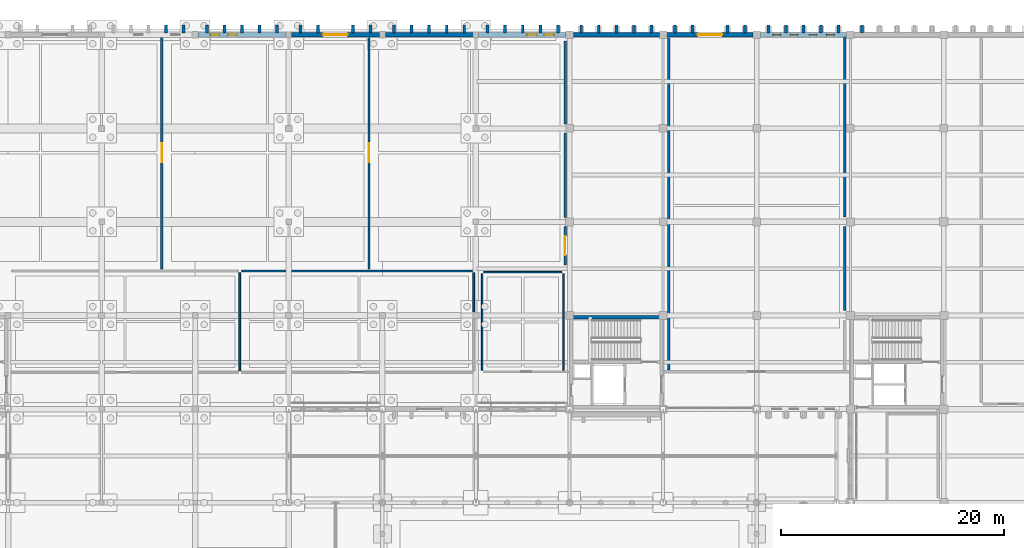
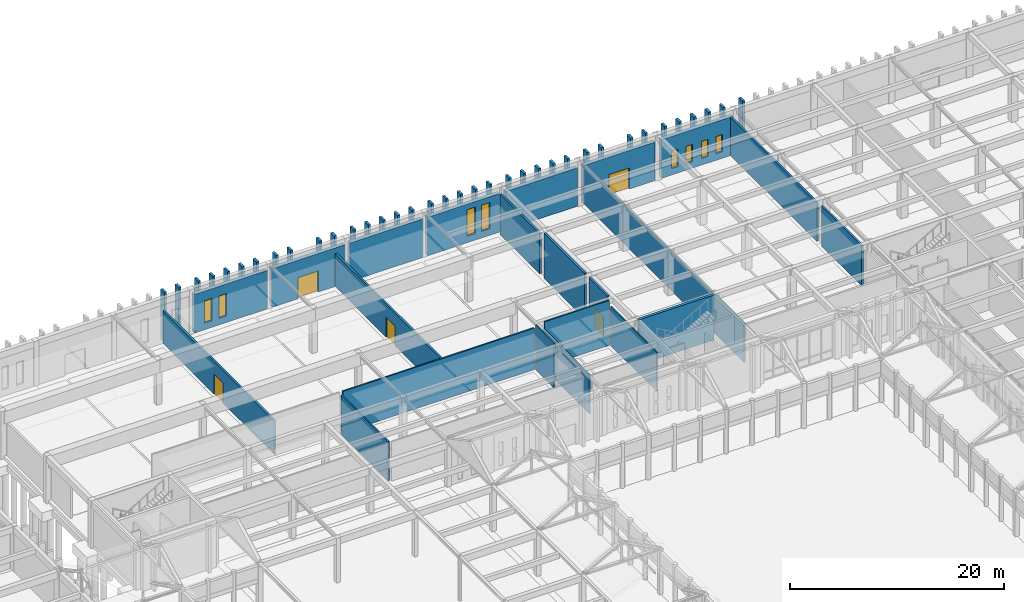
# One storey, part 123 of 143: 58 walls, 8 windows, 5 doors, 13 openings.
"""IFC4 building model written with IfcOpenShell, lengths in metres."""

from ifc_helpers import new_model, si_unit, direction, frame, frame_2d, origin, place, context, subcontext, project, spatial, rectangle, extrude, material, layer, layer_set, type_object, element, fill, save


model = new_model("IFC4")

# Units and contexts
model_context = context("Model", 3, precision=1e-05, world=origin(), true_north=direction((0.0, 1.0)))
body_context = subcontext(model_context, "Body", "Model", "MODEL_VIEW")
ifc_project = project(units=[si_unit("LENGTHUNIT", "METRE"), si_unit("AREAUNIT", "SQUARE_METRE"), si_unit("VOLUMEUNIT", "CUBIC_METRE"), si_unit("PLANEANGLEUNIT", "RADIAN"), si_unit("MASSUNIT", "GRAM", prefix="KILO")], contexts=[model_context])

# Site, building, storey
site_placement = place(None, origin())
site = spatial("IfcSite", under=ifc_project, at=site_placement, CompositionType="ELEMENT")
building_placement = place(site_placement, origin())
building = spatial("IfcBuilding", under=site, at=building_placement, Name="Kveldsbrygga Polytechnic", CompositionType="ELEMENT")
storey_placement = place(building_placement, origin())
storey = spatial("IfcBuildingStorey", under=building, at=storey_placement, Name="L00", CompositionType="ELEMENT", Elevation=0.0)

# Wall, openings, windows
ifc_material_1 = material(Name="Fired clay brick masonry M10", Category="masonry")
ifc_layer_1 = layer(ifc_material_1, 0.419921875)
ifc_layer_set_1 = layer_set([ifc_layer_1], Name="Fired clay brick masonry M10")
wall_type_1 = type_object("IfcWallType", Name="EW-BRICK-420", PredefinedType="SOLIDWALL", material=ifc_layer_set_1)
wall_1_placement = place(storey_placement, frame((67.4599609375, 117.60009765625, 0.0), z_axis=(0.0, 0.0, 1.0), x_axis=(1.0, 0.0, 0.0)))
wall_1 = element("IfcWall", 1, at=wall_1_placement, inside=storey, type_object=wall_type_1, Name="Exterior Brick Wall EW-L00-X-08-14", PredefinedType="SOLIDWALL", context=body_context, shape_type="SweptSolid", body=[
    extrude(rectangle(XDim=7.905029296875, YDim=0.419921875, at=frame_2d((3.95263671875, 0.0))), origin(), (0.0, 0.0, 1.0), 4.39990234375),
])
opening_1_placement = place(wall_1_placement, frame((1.10205078125, 0.0, 0.75)))
opening_1 = element("IfcOpeningElement", 2, at=opening_1_placement, cuts=wall_1, Name="Opening W-10", PredefinedType="OPENING", context=body_context, shape_type="SweptSolid", body=[
    extrude(rectangle(XDim=0.800048828125, YDim=2.550048828125, at=frame_2d((0.39990234375, 1.27490234375))), frame((0.0, 0.219970703125, 0.0), z_axis=(0.0, -1.0, 0.0), x_axis=(1.0, 0.0, 0.0)), (0.0, 0.0, 1.0), 0.43994140625),
])
opening_2_placement = place(wall_1_placement, frame((2.682861328125, 0.0, 0.75)))
opening_2 = element("IfcOpeningElement", 3, at=opening_2_placement, cuts=wall_1, Name="Opening W-10", PredefinedType="OPENING", context=body_context, shape_type="SweptSolid", body=[
    extrude(rectangle(XDim=0.800048828125, YDim=2.550048828125, at=frame_2d((0.39990234375, 1.27490234375))), frame((0.0, 0.219970703125, 0.0), z_axis=(0.0, -1.0, 0.0), x_axis=(1.0, 0.0, 0.0)), (0.0, 0.0, 1.0), 0.43994140625),
])
ifc_material_2 = material(Name="Insulated triple low-E glass", Category="glass")
window_type_1 = type_object("IfcWindowType", Name="WN-LANC-080x255", PartitioningType="DOUBLE_PANEL_VERTICAL", PredefinedType="WINDOW", material=ifc_material_2)
window_1_placement = place(opening_1_placement, origin())
window_1 = element("IfcWindow", 4, at=window_1_placement, inside=storey, type_object=window_type_1, Name="Gothic Lancet Window WIN-L00-X-08-14-1", OverallHeight=2.550048828125, OverallWidth=0.800048828125, PartitioningType="DOUBLE_PANEL_VERTICAL", PredefinedType="WINDOW", context=body_context, shape_type="SweptSolid", body=[
    extrude(rectangle(XDim=0.800048828125, YDim=2.550048828125, at=frame_2d((0.39990234375, 1.27490234375))), frame((0.0, 0.030029296875, 0.0), z_axis=(0.0, -1.0, 0.0), x_axis=(1.0, 0.0, 0.0)), (0.0, 0.0, 1.0), 0.06005859375),
])
fill(opening_1, window_1)
window_2_placement = place(opening_2_placement, origin())
window_2 = element("IfcWindow", 5, at=window_2_placement, inside=storey, type_object=window_type_1, Name="Gothic Lancet Window WIN-L00-X-08-14-2", OverallHeight=2.550048828125, OverallWidth=0.800048828125, PartitioningType="DOUBLE_PANEL_VERTICAL", PredefinedType="WINDOW", context=body_context, shape_type="SweptSolid", body=[
    extrude(rectangle(XDim=0.800048828125, YDim=2.550048828125, at=frame_2d((0.39990234375, 1.27490234375))), frame((0.0, 0.030029296875, 0.0), z_axis=(0.0, -1.0, 0.0), x_axis=(1.0, 0.0, 0.0)), (0.0, 0.0, 1.0), 0.06005859375),
])
fill(opening_2, window_2)

# Wall, opening, door
wall_2_placement = place(storey_placement, frame((75.8349609375, 117.60009765625, 0.0), z_axis=(0.0, 0.0, 1.0), x_axis=(1.0, 0.0, 0.0)))
wall_2 = element("IfcWall", 6, at=wall_2_placement, inside=storey, type_object=wall_type_1, Name="Exterior Brick Wall EW-L00-X-09-14", PredefinedType="SOLIDWALL", context=body_context, shape_type="SweptSolid", body=[
    extrude(rectangle(XDim=7.905029296875, YDim=0.419921875, at=frame_2d((3.95263671875, 0.0))), origin(), (0.0, 0.0, 1.0), 4.39990234375),
])
opening_3_placement = place(wall_2_placement, frame((2.8525390625, 0.0, 0.0)))
opening_3 = element("IfcOpeningElement", 7, at=opening_3_placement, cuts=wall_2, Name="Opening ED-07", PredefinedType="OPENING", context=body_context, shape_type="SweptSolid", body=[
    extrude(rectangle(XDim=2.199951171875, YDim=2.39990234375, at=frame_2d((1.10009765625, 1.199951171875))), frame((0.0, 0.219970703125, 0.0), z_axis=(0.0, -1.0, 0.0), x_axis=(1.0, 0.0, 0.0)), (0.0, 0.0, 1.0), 0.43994140625),
])
ifc_material_3 = material(Name="Anodised aluminium AW-6060", Category="aluminium")
door_type_1 = type_object("IfcDoorType", Name="ED-MAIN-220x240", OperationType="DOUBLE_DOOR_SINGLE_SWING", PredefinedType="DOOR", material=ifc_material_3)
door_1_placement = place(opening_3_placement, origin())
door_1 = element("IfcDoor", 8, at=door_1_placement, inside=storey, type_object=door_type_1, Name="Pedestrian Exit Door ED-07", OperationType="DOUBLE_DOOR_SINGLE_SWING", OverallHeight=2.39990234375, OverallWidth=2.199951171875, PredefinedType="DOOR", context=body_context, shape_type="SweptSolid", body=[
    extrude(rectangle(XDim=2.199951171875, YDim=2.39990234375, at=frame_2d((1.10009765625, 1.199951171875))), frame((0.0, 0.02490234375, 0.0), z_axis=(0.0, -1.0, 0.0), x_axis=(1.0, 0.0, 0.0)), (0.0, 0.0, 1.0), 0.050048828125),
])
fill(opening_3, door_1)

# Wall
wall_3_placement = place(storey_placement, frame((84.260009765625, 117.60009765625, 0.0), z_axis=(0.0, 0.0, 1.0), x_axis=(1.0, 0.0, 0.0)))
element("IfcWall", 9, at=wall_3_placement, inside=storey, type_object=wall_type_1, Name="Exterior Brick Wall EW-L00-X-10-14", PredefinedType="SOLIDWALL", context=body_context, shape_type="SweptSolid", body=[
    extrude(rectangle(XDim=7.905029296875, YDim=0.419921875, at=frame_2d((3.95263671875, 0.0))), origin(), (0.0, 0.0, 1.0), 4.39990234375),
])

# Wall, openings, windows
wall_4_placement = place(storey_placement, frame((92.635009765625, 117.60009765625, 0.0), z_axis=(0.0, 0.0, 1.0), x_axis=(1.0, 0.0, 0.0)))
wall_4 = element("IfcWall", 10, at=wall_4_placement, inside=storey, type_object=wall_type_1, Name="Exterior Brick Wall EW-L00-X-11-14", PredefinedType="SOLIDWALL", context=body_context, shape_type="SweptSolid", body=[
    extrude(rectangle(XDim=7.830078125, YDim=0.419921875, at=frame_2d((3.9150390625, 0.0))), origin(), (0.0, 0.0, 1.0), 4.39990234375),
])
opening_4_placement = place(wall_4_placement, frame((4.326416015625, 0.0, 0.75)))
opening_4 = element("IfcOpeningElement", 11, at=opening_4_placement, cuts=wall_4, Name="Opening W-19", PredefinedType="OPENING", context=body_context, shape_type="SweptSolid", body=[
    extrude(rectangle(XDim=0.89990234375, YDim=3.0, at=frame_2d((0.449951171875, 1.5))), frame((0.0, 0.219970703125, 0.0), z_axis=(0.0, -1.0, 0.0), x_axis=(1.0, 0.0, 0.0)), (0.0, 0.0, 1.0), 0.43994140625),
])
opening_5_placement = place(wall_4_placement, frame((5.892333984375, 0.0, 0.75)))
opening_5 = element("IfcOpeningElement", 12, at=opening_5_placement, cuts=wall_4, Name="Opening W-19", PredefinedType="OPENING", context=body_context, shape_type="SweptSolid", body=[
    extrude(rectangle(XDim=0.89990234375, YDim=3.0, at=frame_2d((0.449951171875, 1.5))), frame((0.0, 0.219970703125, 0.0), z_axis=(0.0, -1.0, 0.0), x_axis=(1.0, 0.0, 0.0)), (0.0, 0.0, 1.0), 0.43994140625),
])
window_type_2 = type_object("IfcWindowType", Name="WN-LANC-090x300", PartitioningType="DOUBLE_PANEL_VERTICAL", PredefinedType="WINDOW", material=ifc_material_2)
window_3_placement = place(opening_4_placement, origin())
window_3 = element("IfcWindow", 13, at=window_3_placement, inside=storey, type_object=window_type_2, Name="Gothic Lancet Window WIN-L00-X-11-14-3", OverallHeight=3.0, OverallWidth=0.89990234375, PartitioningType="DOUBLE_PANEL_VERTICAL", PredefinedType="WINDOW", context=body_context, shape_type="SweptSolid", body=[
    extrude(rectangle(XDim=0.89990234375, YDim=3.0, at=frame_2d((0.449951171875, 1.5))), frame((0.0, 0.030029296875, 0.0), z_axis=(0.0, -1.0, 0.0), x_axis=(1.0, 0.0, 0.0)), (0.0, 0.0, 1.0), 0.06005859375),
])
fill(opening_4, window_3)
window_4_placement = place(opening_5_placement, origin())
window_4 = element("IfcWindow", 14, at=window_4_placement, inside=storey, type_object=window_type_2, Name="Gothic Lancet Window WIN-L00-X-11-14-4", OverallHeight=3.0, OverallWidth=0.89990234375, PartitioningType="DOUBLE_PANEL_VERTICAL", PredefinedType="WINDOW", context=body_context, shape_type="SweptSolid", body=[
    extrude(rectangle(XDim=0.89990234375, YDim=3.0, at=frame_2d((0.449951171875, 1.5))), frame((0.0, 0.030029296875, 0.0), z_axis=(0.0, -1.0, 0.0), x_axis=(1.0, 0.0, 0.0)), (0.0, 0.0, 1.0), 0.06005859375),
])
fill(opening_5, window_4)

# Wall
wall_5_placement = place(storey_placement, frame((101.135009765625, 117.60009765625, 0.0), z_axis=(0.0, 0.0, 1.0), x_axis=(1.0, 0.0, 0.0)))
element("IfcWall", 15, at=wall_5_placement, inside=storey, type_object=wall_type_1, Name="Exterior Brick Wall EW-L00-X-12-14", PredefinedType="SOLIDWALL", context=body_context, shape_type="SweptSolid", body=[
    extrude(rectangle(XDim=7.739990234375, YDim=0.419921875, at=frame_2d((3.8701171875, 0.0))), origin(), (0.0, 0.0, 1.0), 4.39990234375),
])

# Wall, opening, door
wall_6_placement = place(storey_placement, frame((109.52490234375, 117.60009765625, 0.0), z_axis=(0.0, 0.0, 1.0), x_axis=(1.0, 0.0, 0.0)))
wall_6 = element("IfcWall", 16, at=wall_6_placement, inside=storey, type_object=wall_type_1, Name="Exterior Brick Wall EW-L00-X-13-14", PredefinedType="SOLIDWALL", context=body_context, shape_type="SweptSolid", body=[
    extrude(rectangle(XDim=7.739990234375, YDim=0.419921875, at=frame_2d((3.8701171875, 0.0))), origin(), (0.0, 0.0, 1.0), 4.39990234375),
])
opening_6_placement = place(wall_6_placement, frame((2.77001953125, 0.0, 0.0)))
opening_6 = element("IfcOpeningElement", 17, at=opening_6_placement, cuts=wall_6, Name="Opening ED-13", PredefinedType="OPENING", context=body_context, shape_type="SweptSolid", body=[
    extrude(rectangle(XDim=2.199951171875, YDim=2.39990234375, at=frame_2d((1.10009765625, 1.199951171875))), frame((0.0, 0.219970703125, 0.0), z_axis=(0.0, -1.0, 0.0), x_axis=(1.0, 0.0, 0.0)), (0.0, 0.0, 1.0), 0.43994140625),
])
door_2_placement = place(opening_6_placement, origin())
door_2 = element("IfcDoor", 18, at=door_2_placement, inside=storey, type_object=door_type_1, Name="Pedestrian Exit Door ED-13", OperationType="DOUBLE_DOOR_SINGLE_SWING", OverallHeight=2.39990234375, OverallWidth=2.199951171875, PredefinedType="DOOR", context=body_context, shape_type="SweptSolid", body=[
    extrude(rectangle(XDim=2.199951171875, YDim=2.39990234375, at=frame_2d((1.10009765625, 1.199951171875))), frame((0.0, 0.02490234375, 0.0), z_axis=(0.0, -1.0, 0.0), x_axis=(1.0, 0.0, 0.0)), (0.0, 0.0, 1.0), 0.050048828125),
])
fill(opening_6, door_2)

# Wall, openings, windows
wall_7_placement = place(storey_placement, frame((117.93505859375, 117.60009765625, 0.0), z_axis=(0.0, 0.0, 1.0), x_axis=(1.0, 0.0, 0.0)))
wall_7 = element("IfcWall", 19, at=wall_7_placement, inside=storey, type_object=wall_type_1, Name="Exterior Brick Wall EW-L00-X-14-14", PredefinedType="SOLIDWALL", context=body_context, shape_type="SweptSolid", body=[
    extrude(rectangle(XDim=7.739990234375, YDim=0.419921875, at=frame_2d((3.8701171875, 0.0))), origin(), (0.0, 0.0, 1.0), 4.39990234375),
])
opening_7_placement = place(wall_7_placement, frame((1.12060546875, 0.0, 0.75)))
opening_7 = element("IfcOpeningElement", 20, at=opening_7_placement, cuts=wall_7, Name="Opening W-28", PredefinedType="OPENING", context=body_context, shape_type="SweptSolid", body=[
    extrude(rectangle(XDim=0.699951171875, YDim=1.949951171875, at=frame_2d((0.35009765625, 0.97509765625))), frame((0.0, 0.219970703125, 0.0), z_axis=(0.0, -1.0, 0.0), x_axis=(1.0, 0.0, 0.0)), (0.0, 0.0, 1.0), 0.43994140625),
])
opening_8_placement = place(wall_7_placement, frame((2.668701171875, 0.0, 0.75)))
opening_8 = element("IfcOpeningElement", 21, at=opening_8_placement, cuts=wall_7, Name="Opening W-28", PredefinedType="OPENING", context=body_context, shape_type="SweptSolid", body=[
    extrude(rectangle(XDim=0.699951171875, YDim=1.949951171875, at=frame_2d((0.35009765625, 0.97509765625))), frame((0.0, 0.219970703125, 0.0), z_axis=(0.0, -1.0, 0.0), x_axis=(1.0, 0.0, 0.0)), (0.0, 0.0, 1.0), 0.43994140625),
])
opening_9_placement = place(wall_7_placement, frame((4.371337890625, 0.0, 0.75)))
opening_9 = element("IfcOpeningElement", 22, at=opening_9_placement, cuts=wall_7, Name="Opening W-28", PredefinedType="OPENING", context=body_context, shape_type="SweptSolid", body=[
    extrude(rectangle(XDim=0.699951171875, YDim=1.949951171875, at=frame_2d((0.35009765625, 0.97509765625))), frame((0.0, 0.219970703125, 0.0), z_axis=(0.0, -1.0, 0.0), x_axis=(1.0, 0.0, 0.0)), (0.0, 0.0, 1.0), 0.43994140625),
])
opening_10_placement = place(wall_7_placement, frame((5.91943359375, 0.0, 0.75)))
opening_10 = element("IfcOpeningElement", 23, at=opening_10_placement, cuts=wall_7, Name="Opening W-28", PredefinedType="OPENING", context=body_context, shape_type="SweptSolid", body=[
    extrude(rectangle(XDim=0.699951171875, YDim=1.949951171875, at=frame_2d((0.35009765625, 0.97509765625))), frame((0.0, 0.219970703125, 0.0), z_axis=(0.0, -1.0, 0.0), x_axis=(1.0, 0.0, 0.0)), (0.0, 0.0, 1.0), 0.43994140625),
])
window_type_3 = type_object("IfcWindowType", Name="WN-ATTIC-070x195", PartitioningType="DOUBLE_PANEL_VERTICAL", PredefinedType="WINDOW", material=ifc_material_2)
window_5_placement = place(opening_7_placement, origin())
window_5 = element("IfcWindow", 24, at=window_5_placement, inside=storey, type_object=window_type_3, Name="Gothic Lancet Window WIN-L00-X-14-14-1", OverallHeight=1.949951171875, OverallWidth=0.699951171875, PartitioningType="DOUBLE_PANEL_VERTICAL", PredefinedType="WINDOW", context=body_context, shape_type="SweptSolid", body=[
    extrude(rectangle(XDim=0.699951171875, YDim=1.949951171875, at=frame_2d((0.35009765625, 0.97509765625))), frame((0.0, 0.030029296875, 0.0), z_axis=(0.0, -1.0, 0.0), x_axis=(1.0, 0.0, 0.0)), (0.0, 0.0, 1.0), 0.06005859375),
])
fill(opening_7, window_5)
window_6_placement = place(opening_8_placement, origin())
window_6 = element("IfcWindow", 25, at=window_6_placement, inside=storey, type_object=window_type_3, Name="Gothic Lancet Window WIN-L00-X-14-14-2", OverallHeight=1.949951171875, OverallWidth=0.699951171875, PartitioningType="DOUBLE_PANEL_VERTICAL", PredefinedType="WINDOW", context=body_context, shape_type="SweptSolid", body=[
    extrude(rectangle(XDim=0.699951171875, YDim=1.949951171875, at=frame_2d((0.35009765625, 0.97509765625))), frame((0.0, 0.030029296875, 0.0), z_axis=(0.0, -1.0, 0.0), x_axis=(1.0, 0.0, 0.0)), (0.0, 0.0, 1.0), 0.06005859375),
])
fill(opening_8, window_6)
window_7_placement = place(opening_9_placement, origin())
window_7 = element("IfcWindow", 26, at=window_7_placement, inside=storey, type_object=window_type_3, Name="Gothic Lancet Window WIN-L00-X-14-14-3", OverallHeight=1.949951171875, OverallWidth=0.699951171875, PartitioningType="DOUBLE_PANEL_VERTICAL", PredefinedType="WINDOW", context=body_context, shape_type="SweptSolid", body=[
    extrude(rectangle(XDim=0.699951171875, YDim=1.949951171875, at=frame_2d((0.35009765625, 0.97509765625))), frame((0.0, 0.030029296875, 0.0), z_axis=(0.0, -1.0, 0.0), x_axis=(1.0, 0.0, 0.0)), (0.0, 0.0, 1.0), 0.06005859375),
])
fill(opening_9, window_7)
window_8_placement = place(opening_10_placement, origin())
window_8 = element("IfcWindow", 27, at=window_8_placement, inside=storey, type_object=window_type_3, Name="Gothic Lancet Window WIN-L00-X-14-14-4", OverallHeight=1.949951171875, OverallWidth=0.699951171875, PartitioningType="DOUBLE_PANEL_VERTICAL", PredefinedType="WINDOW", context=body_context, shape_type="SweptSolid", body=[
    extrude(rectangle(XDim=0.699951171875, YDim=1.949951171875, at=frame_2d((0.35009765625, 0.97509765625))), frame((0.0, 0.030029296875, 0.0), z_axis=(0.0, -1.0, 0.0), x_axis=(1.0, 0.0, 0.0)), (0.0, 0.0, 1.0), 0.06005859375),
])
fill(opening_10, window_8)

# Walls
ifc_layer_2 = layer(ifc_material_1, 0.260009765625)
ifc_layer_set_2 = layer_set([ifc_layer_2], Name="Fired clay brick masonry M10")
wall_type_2 = type_object("IfcWallType", Name="EW-BUTT-260", PredefinedType="SOLIDWALL", material=ifc_layer_set_2)
for number, where, z_axis, x_axis, name in (
    (28, (64.580078125, 117.764892578125, -0.320068359375), (0.0, 0.0, 1.0), (0.0, 1.0, 0.0), "Gothic Brick Buttress Pier BUTT-L00-X-07-14-4"),
    (29, (66.14990234375, 117.764892578125, -0.320068359375), (0.0, 0.0, 1.0), (0.0, 1.0, 0.0), "Gothic Brick Buttress Pier BUTT-L00-X-07-14-5"),
    (30, (68.25, 117.764892578125, -0.320068359375), (0.0, 0.0, 1.0), (0.0, 1.0, 0.0), "Gothic Brick Buttress Pier BUTT-L00-X-08-14-1"),
    (31, (69.820068359375, 117.764892578125, -0.320068359375), (0.0, 0.0, 1.0), (0.0, 1.0, 0.0), "Gothic Brick Buttress Pier BUTT-L00-X-08-14-2"),
    (32, (71.39990234375, 117.764892578125, -0.320068359375), (0.0, 0.0, 1.0), (0.0, 1.0, 0.0), "Gothic Brick Buttress Pier BUTT-L00-X-08-14-3"),
    (33, (72.97998046875, 117.764892578125, -0.320068359375), (0.0, 0.0, 1.0), (0.0, 1.0, 0.0), "Gothic Brick Buttress Pier BUTT-L00-X-08-14-4"),
    (34, (74.550048828125, 117.764892578125, -0.320068359375), (0.0, 0.0, 1.0), (0.0, 1.0, 0.0), "Gothic Brick Buttress Pier BUTT-L00-X-08-14-5"),
    (35, (76.64990234375, 117.764892578125, -0.320068359375), (0.0, 0.0, 1.0), (0.0, 1.0, 0.0), "Gothic Brick Buttress Pier BUTT-L00-X-09-14-1"),
    (36, (78.219970703125, 117.764892578125, -0.320068359375), (0.0, 0.0, 1.0), (0.0, 1.0, 0.0), "Gothic Brick Buttress Pier BUTT-L00-X-09-14-2"),
    (37, (81.3798828125, 117.764892578125, -0.320068359375), (0.0, 0.0, 1.0), (0.0, 1.0, 0.0), "Gothic Brick Buttress Pier BUTT-L00-X-09-14-4"),
    (38, (82.949951171875, 117.764892578125, -0.320068359375), (0.0, 0.0, 1.0), (0.0, 1.0, 0.0), "Gothic Brick Buttress Pier BUTT-L00-X-09-14-5"),
    (39, (85.050048828125, 117.764892578125, -0.320068359375), (0.0, 0.0, 1.0), (0.0, 1.0, 0.0), "Gothic Brick Buttress Pier BUTT-L00-X-10-14-1"),
    (40, (86.6201171875, 117.764892578125, -0.320068359375), (0.0, 0.0, 1.0), (0.0, 1.0, 0.0), "Gothic Brick Buttress Pier BUTT-L00-X-10-14-2"),
    (41, (88.199951171875, 117.764892578125, -0.320068359375), (0.0, 0.0, 1.0), (0.0, 1.0, 0.0), "Gothic Brick Buttress Pier BUTT-L00-X-10-14-3"),
    (42, (89.780029296875, 117.764892578125, -0.320068359375), (0.0, 0.0, 1.0), (0.0, 1.0, 0.0), "Gothic Brick Buttress Pier BUTT-L00-X-10-14-4"),
    (43, (91.35009765625, 117.764892578125, -0.320068359375), (0.0, 0.0, 1.0), (0.0, 1.0, 0.0), "Gothic Brick Buttress Pier BUTT-L00-X-10-14-5"),
    (44, (93.449951171875, 117.764892578125, -0.320068359375), (0.0, 0.0, 1.0), (0.0, 1.0, 0.0), "Gothic Brick Buttress Pier BUTT-L00-X-11-14-1"),
    (45, (95.02001953125, 117.764892578125, -0.320068359375), (0.0, 0.0, 1.0), (0.0, 1.0, 0.0), "Gothic Brick Buttress Pier BUTT-L00-X-11-14-2"),
    (46, (96.60009765625, 117.764892578125, -0.320068359375), (0.0, 0.0, 1.0), (0.0, 1.0, 0.0), "Gothic Brick Buttress Pier BUTT-L00-X-11-14-3"),
    (47, (98.179931640625, 117.764892578125, -0.320068359375), (0.0, 0.0, 1.0), (0.0, 1.0, 0.0), "Gothic Brick Buttress Pier BUTT-L00-X-11-14-4"),
):
    element("IfcWall", number, at=place(storey_placement, frame(where, z_axis=z_axis, x_axis=x_axis)), inside=storey, type_object=wall_type_2, Name=name, PredefinedType="SOLIDWALL", context=body_context, shape_type="SweptSolid", body=[
        extrude(rectangle(XDim=0.7001953125, YDim=0.260009765625, at=frame_2d((0.35009765625, 0.0))), origin(), (0.0, 0.0, 1.0), 5.760009765625),
    ])
for number, where, z_axis, x_axis, name in (
    (48, (99.75, 117.764892578125, -0.25), (0.0, 0.0, 1.0), (0.0, 1.0, 0.0), "Gothic Brick Buttress Pier BUTT-L00-X-11-14-5"),
    (49, (101.85009765625, 117.764892578125, -0.25), (0.0, 0.0, 1.0), (0.0, 1.0, 0.0), "Gothic Brick Buttress Pier BUTT-L00-X-12-14-1"),
    (50, (103.419921875, 117.764892578125, -0.25), (0.0, 0.0, 1.0), (0.0, 1.0, 0.0), "Gothic Brick Buttress Pier BUTT-L00-X-12-14-2"),
    (51, (105.0, 117.764892578125, -0.25), (0.0, 0.0, 1.0), (0.0, 1.0, 0.0), "Gothic Brick Buttress Pier BUTT-L00-X-12-14-3"),
    (52, (106.580078125, 117.764892578125, -0.25), (0.0, 0.0, 1.0), (0.0, 1.0, 0.0), "Gothic Brick Buttress Pier BUTT-L00-X-12-14-4"),
    (53, (108.14990234375, 117.764892578125, -0.25), (0.0, 0.0, 1.0), (0.0, 1.0, 0.0), "Gothic Brick Buttress Pier BUTT-L00-X-12-14-5"),
    (54, (110.25, 117.764892578125, -0.25), (0.0, 0.0, 1.0), (0.0, 1.0, 0.0), "Gothic Brick Buttress Pier BUTT-L00-X-13-14-1"),
    (55, (111.820068359375, 117.764892578125, -0.25), (0.0, 0.0, 1.0), (0.0, 1.0, 0.0), "Gothic Brick Buttress Pier BUTT-L00-X-13-14-2"),
    (56, (114.97998046875, 117.764892578125, -0.25), (0.0, 0.0, 1.0), (0.0, 1.0, 0.0), "Gothic Brick Buttress Pier BUTT-L00-X-13-14-4"),
    (57, (116.550048828125, 117.764892578125, -0.25), (0.0, 0.0, 1.0), (0.0, 1.0, 0.0), "Gothic Brick Buttress Pier BUTT-L00-X-13-14-5"),
    (58, (118.64990234375, 117.764892578125, -0.25), (0.0, 0.0, 1.0), (0.0, 1.0, 0.0), "Gothic Brick Buttress Pier BUTT-L00-X-14-14-1"),
    (59, (120.219970703125, 117.764892578125, -0.25), (0.0, 0.0, 1.0), (0.0, 1.0, 0.0), "Gothic Brick Buttress Pier BUTT-L00-X-14-14-2"),
    (60, (121.800048828125, 117.764892578125, -0.25), (0.0, 0.0, 1.0), (0.0, 1.0, 0.0), "Gothic Brick Buttress Pier BUTT-L00-X-14-14-3"),
    (61, (123.3798828125, 117.764892578125, -0.25), (0.0, 0.0, 1.0), (0.0, 1.0, 0.0), "Gothic Brick Buttress Pier BUTT-L00-X-14-14-4"),
    (62, (124.949951171875, 117.764892578125, -0.25), (0.0, 0.0, 1.0), (0.0, 1.0, 0.0), "Gothic Brick Buttress Pier BUTT-L00-X-14-14-5"),
    (63, (127.050048828125, 117.764892578125, -0.25), (0.0, 0.0, 1.0), (0.0, 1.0, 0.0), "Gothic Brick Buttress Pier BUTT-L00-X-15-14-1"),
):
    element("IfcWall", number, at=place(storey_placement, frame(where, z_axis=z_axis, x_axis=x_axis)), inside=storey, type_object=wall_type_2, Name=name, PredefinedType="SOLIDWALL", context=body_context, shape_type="SweptSolid", body=[
        extrude(rectangle(XDim=0.7001953125, YDim=0.260009765625, at=frame_2d((0.35009765625, 0.0))), origin(), (0.0, 0.0, 1.0), 5.68994140625),
    ])

# Wall, opening, door
ifc_layer_3 = layer(ifc_material_1, 0.219970703125)
ifc_layer_set_3 = layer_set([ifc_layer_3], Name="Fired clay brick masonry M10")
wall_type_3 = type_object("IfcWallType", Name="IW-ACOU-220", PredefinedType="PARTITIONING", material=ifc_layer_set_3)
wall_8_placement = place(storey_placement, frame((64.199951171875, 96.580078125, 0.0), z_axis=(0.0, 0.0, 1.0), x_axis=(0.0, 1.0, 0.0)))
wall_8 = element("IfcWall", 64, at=wall_8_placement, inside=storey, type_object=wall_type_3, Name="Partition Wall IW-SP-L00-LT1-E1", PredefinedType="PARTITIONING", context=body_context, shape_type="SweptSolid", body=[
    extrude(rectangle(XDim=20.83984375, YDim=0.219970703125, at=frame_2d((10.419921875, 0.0))), origin(), (0.0, 0.0, 1.0), 3.739990234375),
])
opening_11_placement = place(wall_8_placement, frame((9.570068359375, 0.0, 0.0)))
opening_11 = element("IfcOpeningElement", 65, at=opening_11_placement, cuts=wall_8, Name="Opening ID-L00-028", PredefinedType="OPENING", context=body_context, shape_type="SweptSolid", body=[
    extrude(rectangle(XDim=1.699951171875, YDim=2.25, at=frame_2d((0.85009765625, 1.125))), frame((0.0, 0.1201171875, 0.0), z_axis=(0.0, -1.0, 0.0), x_axis=(1.0, 0.0, 0.0)), (0.0, 0.0, 1.0), 0.239990234375),
])
ifc_material_4 = material(Name="Acoustic oak timber", Category="wood")
door_type_2 = type_object("IfcDoorType", Name="ID-LTH-170x225", OperationType="DOUBLE_DOOR_SINGLE_SWING", PredefinedType="DOOR", material=ifc_material_4)
door_3_placement = place(opening_11_placement, origin())
door_3 = element("IfcDoor", 66, at=door_3_placement, inside=storey, type_object=door_type_2, Name="Interior Door ID-L00-028", OperationType="DOUBLE_DOOR_SINGLE_SWING", OverallHeight=2.25, OverallWidth=1.699951171875, PredefinedType="DOOR", context=body_context, shape_type="SweptSolid", body=[
    extrude(rectangle(XDim=1.699951171875, YDim=2.25, at=frame_2d((0.85009765625, 1.125))), frame((0.0, 0.02490234375, 0.0), z_axis=(0.0, -1.0, 0.0), x_axis=(1.0, 0.0, 0.0)), (0.0, 0.0, 1.0), 0.050048828125),
])
fill(opening_11, door_3)

wall_9_placement = place(storey_placement, frame((82.800048828125, 96.580078125, 0.0), z_axis=(0.0, 0.0, 1.0), x_axis=(0.0, 1.0, 0.0)))
wall_9 = element("IfcWall", 67, at=wall_9_placement, inside=storey, type_object=wall_type_3, Name="Partition Wall IW-SP-L00-LT2-E1", PredefinedType="PARTITIONING", context=body_context, shape_type="SweptSolid", body=[
    extrude(rectangle(XDim=20.83984375, YDim=0.219970703125, at=frame_2d((10.419921875, 0.0))), origin(), (0.0, 0.0, 1.0), 3.739990234375),
])
opening_12_placement = place(wall_9_placement, frame((9.570068359375, 0.0, 0.0)))
opening_12 = element("IfcOpeningElement", 68, at=opening_12_placement, cuts=wall_9, Name="Opening ID-L00-029", PredefinedType="OPENING", context=body_context, shape_type="SweptSolid", body=[
    extrude(rectangle(XDim=1.699951171875, YDim=2.25, at=frame_2d((0.85009765625, 1.125))), frame((0.0, 0.1201171875, 0.0), z_axis=(0.0, -1.0, 0.0), x_axis=(1.0, 0.0, 0.0)), (0.0, 0.0, 1.0), 0.239990234375),
])
door_4_placement = place(opening_12_placement, origin())
door_4 = element("IfcDoor", 69, at=door_4_placement, inside=storey, type_object=door_type_2, Name="Interior Door ID-L00-029", OperationType="DOUBLE_DOOR_SINGLE_SWING", OverallHeight=2.25, OverallWidth=1.699951171875, PredefinedType="DOOR", context=body_context, shape_type="SweptSolid", body=[
    extrude(rectangle(XDim=1.699951171875, YDim=2.25, at=frame_2d((0.85009765625, 1.125))), frame((0.0, 0.02490234375, 0.0), z_axis=(0.0, -1.0, 0.0), x_axis=(1.0, 0.0, 0.0)), (0.0, 0.0, 1.0), 0.050048828125),
])
fill(opening_12, door_4)

wall_10_placement = place(storey_placement, frame((100.39990234375, 96.949951171875, 0.0), z_axis=(0.0, 0.0, 1.0), x_axis=(0.0, 1.0, 0.0)))
wall_10 = element("IfcWall", 70, at=wall_10_placement, inside=storey, type_object=wall_type_3, Name="Partition Wall IW-SP-L00-LT3-E1", PredefinedType="PARTITIONING", context=body_context, shape_type="SweptSolid", body=[
    extrude(rectangle(XDim=3.43994140625, YDim=0.219970703125, at=frame_2d((1.719970703125, 0.0))), origin(), (0.0, 0.0, 1.0), 5.139892578125),
])
opening_13_placement = place(wall_10_placement, frame((0.8701171875, 0.0, 0.0)))
opening_13 = element("IfcOpeningElement", 71, at=opening_13_placement, cuts=wall_10, Name="Opening ID-L00-030", PredefinedType="OPENING", context=body_context, shape_type="SweptSolid", body=[
    extrude(rectangle(XDim=1.699951171875, YDim=2.25, at=frame_2d((0.85009765625, 1.125))), frame((0.0, 0.1201171875, 0.0), z_axis=(0.0, -1.0, 0.0), x_axis=(1.0, 0.0, 0.0)), (0.0, 0.0, 1.0), 0.239990234375),
])
door_5_placement = place(opening_13_placement, origin())
door_5 = element("IfcDoor", 72, at=door_5_placement, inside=storey, type_object=door_type_2, Name="Interior Door ID-L00-030", OperationType="DOUBLE_DOOR_SINGLE_SWING", OverallHeight=2.25, OverallWidth=1.699951171875, PredefinedType="DOOR", context=body_context, shape_type="SweptSolid", body=[
    extrude(rectangle(XDim=1.699951171875, YDim=2.25, at=frame_2d((0.85009765625, 1.125))), frame((0.0, 0.02490234375, 0.0), z_axis=(0.0, -1.0, 0.0), x_axis=(1.0, 0.0, 0.0)), (0.0, 0.0, 1.0), 0.050048828125),
])
fill(opening_13, door_5)

# Walls
wall_11_placement = place(storey_placement, frame((100.39990234375, 101.2099609375, 0.0), z_axis=(0.0, 0.0, 1.0), x_axis=(0.0, 1.0, 0.0)))
element("IfcWall", 73, at=wall_11_placement, inside=storey, type_object=wall_type_3, Name="Partition Wall IW-SP-L00-LT3-E2", PredefinedType="PARTITIONING", context=body_context, shape_type="SweptSolid", body=[
    extrude(rectangle(XDim=7.590087890625, YDim=0.219970703125, at=frame_2d((3.794921875, 0.0))), origin(), (0.0, 0.0, 1.0), 5.139892578125),
])
wall_12_placement = place(storey_placement, frame((100.39990234375, 109.60009765625, 0.0), z_axis=(0.0, 0.0, 1.0), x_axis=(0.0, 1.0, 0.0)))
element("IfcWall", 74, at=wall_12_placement, inside=storey, type_object=wall_type_3, Name="Partition Wall IW-SP-L00-LT3-E3", PredefinedType="PARTITIONING", context=body_context, shape_type="SweptSolid", body=[
    extrude(rectangle(XDim=7.449951171875, YDim=0.219970703125, at=frame_2d((3.72509765625, 0.0))), origin(), (0.0, 0.0, 1.0), 4.590087890625),
])
ifc_layer_4 = layer(ifc_material_1, 0.199951171875)
ifc_layer_set_4 = layer_set([ifc_layer_4], Name="Fired clay brick masonry M10")
wall_type_4 = type_object("IfcWallType", Name="IW-LAB-200", PredefinedType="PARTITIONING", material=ifc_layer_set_4)
wall_13_placement = place(storey_placement, frame((109.699951171875, 87.5, 0.0), z_axis=(0.0, 0.0, 1.0), x_axis=(0.0, 1.0, 0.0)))
element("IfcWall", 75, at=wall_13_placement, inside=storey, type_object=wall_type_4, Name="Partition Wall IW-SP-L00-LAB5-W1", PredefinedType="PARTITIONING", context=body_context, shape_type="SweptSolid", body=[
    extrude(rectangle(XDim=29.919921875, YDim=0.199951171875, at=frame_2d((14.9599609375, 0.0))), origin(), (0.0, 0.0, 1.0), 4.360107421875),
])
wall_14_placement = place(storey_placement, frame((125.5, 92.8349609375, 0.0), z_axis=(0.0, 0.0, 1.0), x_axis=(0.0, 1.0, 0.0)))
element("IfcWall", 76, at=wall_14_placement, inside=storey, type_object=wall_type_4, Name="Partition Wall IW-SP-L00-LAB5-E2", PredefinedType="PARTITIONING", context=body_context, shape_type="SweptSolid", body=[
    extrude(rectangle(XDim=7.544921875, YDim=0.199951171875, at=frame_2d((3.7724609375, 0.0))), origin(), (0.0, 0.0, 1.0), 4.580078125),
])
wall_15_placement = place(storey_placement, frame((125.5, 101.219970703125, 0.0), z_axis=(0.0, 0.0, 1.0), x_axis=(0.0, 1.0, 0.0)))
element("IfcWall", 77, at=wall_15_placement, inside=storey, type_object=wall_type_4, Name="Partition Wall IW-SP-L00-LAB5-E3", PredefinedType="PARTITIONING", context=body_context, shape_type="SweptSolid", body=[
    extrude(rectangle(XDim=16.199951171875, YDim=0.199951171875, at=frame_2d((8.10009765625, 0.0))), origin(), (0.0, 0.0, 1.0), 4.39990234375),
])
ifc_material_5 = material(Name="Moisture-resistant masonry M10", Category="masonry")
ifc_layer_5 = layer(ifc_material_5, 0.1298828125)
ifc_layer_set_5 = layer_set([ifc_layer_5], Name="Moisture-resistant masonry M10")
wall_type_5 = type_object("IfcWallType", Name="IW-SAN-130", PredefinedType="PARTITIONING", material=ifc_layer_set_5)
wall_16_placement = place(storey_placement, frame((93.10009765625, 96.300048828125, 0.0), z_axis=(0.0, 0.0, 1.0), x_axis=(1.0, 0.0, 0.0)))
element("IfcWall", 78, at=wall_16_placement, inside=storey, type_object=wall_type_5, Name="Partition Wall IW-SP-L00-V2WC-N1", PredefinedType="PARTITIONING", context=body_context, shape_type="SweptSolid", body=[
    extrude(rectangle(XDim=7.0, YDim=0.1298828125, at=frame_2d((3.5, 0.0))), origin(), (0.0, 0.0, 1.0), 5.139892578125),
])
for number, where, z_axis, x_axis, name in (
    (79, (92.949951171875, 87.5, 0.0), (0.0, 0.0, 1.0), (0.0, 1.0, 0.0), "Partition Wall IW-SP-L00-V2WC-W1"),
    (80, (100.25, 87.5, 0.0), (0.0, 0.0, 1.0), (0.0, 1.0, 0.0), "Partition Wall IW-SP-L00-V2WC-E1"),
):
    element("IfcWall", number, at=place(storey_placement, frame(where, z_axis=z_axis, x_axis=x_axis)), inside=storey, type_object=wall_type_5, Name=name, PredefinedType="PARTITIONING", context=body_context, shape_type="SweptSolid", body=[
        extrude(rectangle(XDim=8.64990234375, YDim=0.1298828125, at=frame_2d((4.324951171875, 0.0))), origin(), (0.0, 0.0, 1.0), 4.4599609375),
    ])
ifc_material_6 = material(Name="Gypsum acoustic stud partition")
ifc_layer_6 = layer(ifc_material_6, 0.14990234375)
ifc_layer_set_6 = layer_set([ifc_layer_6], Name="Gypsum acoustic stud partition")
wall_type_6 = type_object("IfcWallType", Name="IW-SEM-150", PredefinedType="PARTITIONING", material=ifc_layer_set_6)
wall_17_placement = place(storey_placement, frame((71.199951171875, 87.449951171875, 0.0), z_axis=(0.0, 0.0, 1.0), x_axis=(0.0, 1.0, 0.0)))
element("IfcWall", 81, at=wall_17_placement, inside=storey, type_object=wall_type_6, Name="Partition Wall IW-SP-L00-SEM01-E1", PredefinedType="PARTITIONING", context=body_context, shape_type="SweptSolid", body=[
    extrude(rectangle(XDim=8.800048828125, YDim=0.14990234375, at=frame_2d((4.39990234375, 0.0))), origin(), (0.0, 0.0, 1.0), 4.4599609375),
])
wall_18_placement = place(storey_placement, frame((71.3798828125, 96.39990234375, 0.0), z_axis=(0.0, 0.0, 1.0), x_axis=(1.0, 0.0, 0.0)))
element("IfcWall", 82, at=wall_18_placement, inside=storey, type_object=wall_type_6, Name="Partition Wall IW-SP-L00-SEM02-N1", PredefinedType="PARTITIONING", context=body_context, shape_type="SweptSolid", body=[
    extrude(rectangle(XDim=20.670166015625, YDim=0.14990234375, at=frame_2d((10.3349609375, 0.0))), origin(), (0.0, 0.0, 1.0), 4.739990234375),
])
wall_19_placement = place(storey_placement, frame((92.199951171875, 92.735107421875, 0.0), z_axis=(0.0, 0.0, 1.0), x_axis=(0.0, 1.0, 0.0)))
element("IfcWall", 83, at=wall_19_placement, inside=storey, type_object=wall_type_6, Name="Partition Wall IW-SP-L00-SEM02-E2", PredefinedType="PARTITIONING", context=body_context, shape_type="SweptSolid", body=[
    extrude(rectangle(XDim=3.514892578125, YDim=0.14990234375, at=frame_2d((1.75732421875, 0.0))), origin(), (0.0, 0.0, 1.0), 5.139892578125),
])
ifc_material_7 = material(Name="Concrete C45/55", Category="concrete")
ifc_layer_7 = layer(ifc_material_7, 0.300048828125)
ifc_layer_set_7 = layer_set([ifc_layer_7], Name="Concrete C45/55")
wall_type_7 = type_object("IfcWallType", Name="WL-CORE-300", PredefinedType="SHEAR", material=ifc_layer_set_7)
wall_20_placement = place(storey_placement, frame((100.949951171875, 92.25, 0.0), z_axis=(0.0, 0.0, 1.0), x_axis=(1.0, 0.0, 0.0)))
element("IfcWall", 84, at=wall_20_placement, inside=storey, type_object=wall_type_7, Name="Core C5 Shear Wall C5-L00-SW-N", PredefinedType="SHEAR", context=body_context, shape_type="SweptSolid", body=[
    extrude(rectangle(XDim=8.10009765625, YDim=0.300048828125, at=frame_2d((4.050048828125, 0.0))), origin(), (0.0, 0.0, 1.0), 5.139892578125),
])

save(model, "model.ifc")
